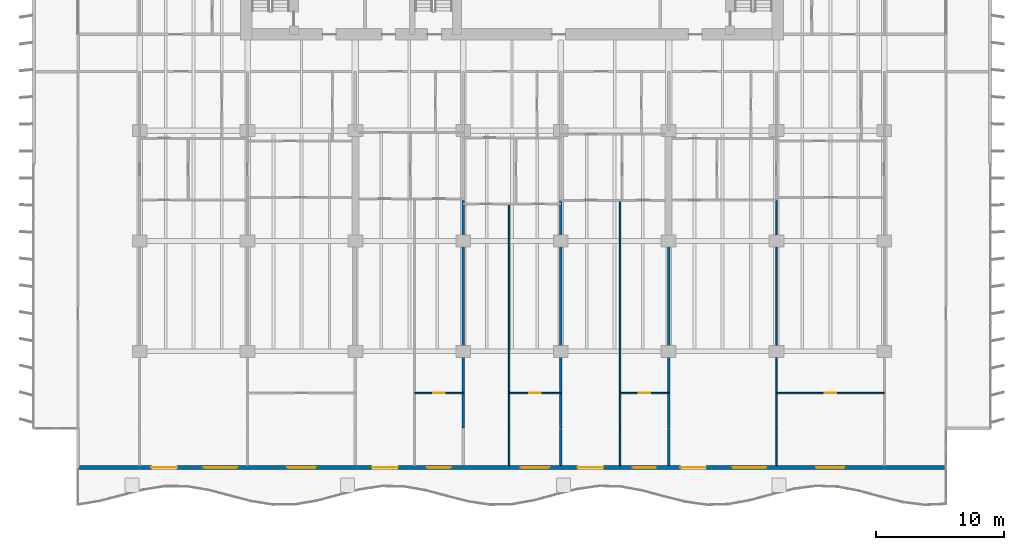
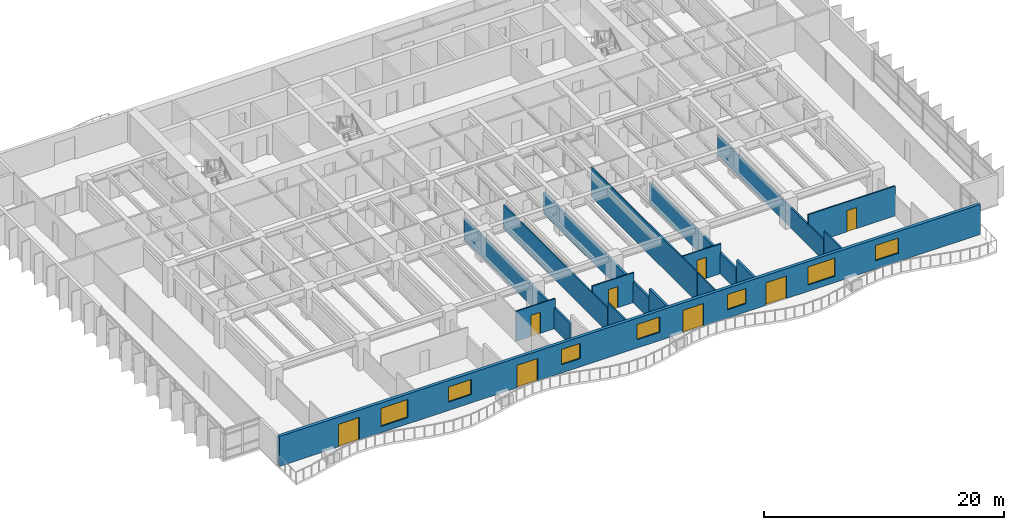
# One storey, part 8 of 18: 16 walls, 8 doors, 7 windows, 15 openings.
"""IFC4 building model written with IfcOpenShell, lengths in metres."""

from ifc_helpers import new_model, si_unit, direction, frame, frame_2d, origin, place, context, subcontext, project, spatial, rectangle, extrude, material, layer, layer_set, type_object, element, fill, save


model = new_model("IFC4")

# Units and contexts
model_context = context("Model", 3, precision=1e-05, world=origin(), true_north=direction((0.0, 1.0)))
body_context = subcontext(model_context, "Body", "Model", "MODEL_VIEW")
ifc_project = project(units=[si_unit("LENGTHUNIT", "METRE"), si_unit("AREAUNIT", "SQUARE_METRE"), si_unit("VOLUMEUNIT", "CUBIC_METRE"), si_unit("PLANEANGLEUNIT", "RADIAN"), si_unit("MASSUNIT", "GRAM", prefix="KILO")], contexts=[model_context])

# Site, building, storey
site_placement = place(None, origin())
site = spatial("IfcSite", under=ifc_project, at=site_placement, CompositionType="ELEMENT")
building_placement = place(site_placement, origin())
building = spatial("IfcBuilding", under=site, at=building_placement, Name="Caelmar Bay Residences", CompositionType="ELEMENT")
storey_placement = place(building_placement, frame((0.0, 0.0, 39.89990234375)))
storey = spatial("IfcBuildingStorey", under=building, at=storey_placement, Name="L09", CompositionType="ELEMENT", Elevation=39.89990234375)

# Wall, openings, doors, windows
ifc_material_1 = material(Name="Precast concrete f'c 40 MPa (6,000 psi)", Category="concrete")
ifc_layer_1 = layer(ifc_material_1, 0.300048828125)
ifc_layer_set_1 = layer_set([ifc_layer_1], Name="Precast concrete f'c 40 MPa (6,000 psi)")
wall_type_1 = type_object("IfcWallType", Name="W-EXT-300", PredefinedType="STANDARD", material=ifc_layer_set_1)
wall_1_placement = place(storey_placement, frame((72.699951171875, 3.14990234375, 0.0), z_axis=(0.0, 0.0, 1.0), x_axis=(-1.0, 0.0, 0.0)))
wall_1 = element("IfcWall", 1, at=wall_1_placement, inside=storey, type_object=wall_type_1, Name="L09 South Bayfront Exterior Wall", PredefinedType="STANDARD", context=body_context, shape_type="SweptSolid", body=[
    extrude(rectangle(XDim=67.599853515625, YDim=0.300048828125, at=frame_2d((33.7998046875, 0.0))), origin(), (0.0, 0.0, 1.0), 3.050048828125),
])
opening_1_placement = place(wall_1_placement, frame((59.889892578125, 0.0, 0.0)))
opening_1 = element("IfcOpeningElement", 2, at=opening_1_placement, cuts=wall_1, Name="Opening L09-BD01", PredefinedType="OPENING", context=body_context, shape_type="SweptSolid", body=[
    extrude(rectangle(XDim=2.0, YDim=2.300048828125, at=frame_2d((1.0, 1.14990234375))), frame((0.0, 0.159912109375, 0.0), z_axis=(0.0, -1.0, 0.0), x_axis=(1.0, 0.0, 0.0)), (0.0, 0.0, 1.0), 0.320068359375),
])
opening_2_placement = place(wall_1_placement, frame((55.2099609375, 0.0, 0.64990234375)))
opening_2 = element("IfcOpeningElement", 3, at=opening_2_placement, cuts=wall_1, Name="Opening WN3", PredefinedType="OPENING", context=body_context, shape_type="SweptSolid", body=[
    extrude(rectangle(XDim=2.60009765625, YDim=1.85009765625, at=frame_2d((1.300048828125, 0.925048828125))), frame((0.0, 0.159912109375, 0.0), z_axis=(0.0, -1.0, 0.0), x_axis=(1.0, 0.0, 0.0)), (0.0, 0.0, 1.0), 0.320068359375),
])
opening_3_placement = place(wall_1_placement, frame((49.10009765625, 0.0, 0.85009765625)))
opening_3 = element("IfcOpeningElement", 4, at=opening_3_placement, cuts=wall_1, Name="Opening WN2", PredefinedType="OPENING", context=body_context, shape_type="SweptSolid", body=[
    extrude(rectangle(XDim=2.199951171875, YDim=1.550048828125, at=frame_2d((1.10009765625, 0.77490234375))), frame((0.0, 0.159912109375, 0.0), z_axis=(0.0, -1.0, 0.0), x_axis=(1.0, 0.0, 0.0)), (0.0, 0.0, 1.0), 0.320068359375),
])
opening_4_placement = place(wall_1_placement, frame((42.68994140625, 0.0, 0.0)))
opening_4 = element("IfcOpeningElement", 5, at=opening_4_placement, cuts=wall_1, Name="Opening L09-BD02", PredefinedType="OPENING", context=body_context, shape_type="SweptSolid", body=[
    extrude(rectangle(XDim=2.0, YDim=2.300048828125, at=frame_2d((1.0, 1.14990234375))), frame((0.0, 0.159912109375, 0.0), z_axis=(0.0, -1.0, 0.0), x_axis=(1.0, 0.0, 0.0)), (0.0, 0.0, 1.0), 0.320068359375),
])
opening_5_placement = place(wall_1_placement, frame((38.590087890625, 0.0, 0.85009765625)))
opening_5 = element("IfcOpeningElement", 6, at=opening_5_placement, cuts=wall_1, Name="Opening WN1", PredefinedType="OPENING", context=body_context, shape_type="SweptSolid", body=[
    extrude(rectangle(XDim=1.800048828125, YDim=1.550048828125, at=frame_2d((0.89990234375, 0.77490234375))), frame((0.0, 0.159912109375, 0.0), z_axis=(0.0, -1.0, 0.0), x_axis=(1.0, 0.0, 0.0)), (0.0, 0.0, 1.0), 0.320068359375),
])
opening_6_placement = place(wall_1_placement, frame((30.9140625, 0.0, 0.85009765625)))
opening_6 = element("IfcOpeningElement", 7, at=opening_6_placement, cuts=wall_1, Name="Opening WN2", PredefinedType="OPENING", context=body_context, shape_type="SweptSolid", body=[
    extrude(rectangle(XDim=2.199951171875, YDim=1.550048828125, at=frame_2d((1.10009765625, 0.77490234375))), frame((0.0, 0.159912109375, 0.0), z_axis=(0.0, -1.0, 0.0), x_axis=(1.0, 0.0, 0.0)), (0.0, 0.0, 1.0), 0.320068359375),
])
opening_7_placement = place(wall_1_placement, frame((26.68994140625, 0.0, 0.0)))
opening_7 = element("IfcOpeningElement", 8, at=opening_7_placement, cuts=wall_1, Name="Opening L09-BD03", PredefinedType="OPENING", context=body_context, shape_type="SweptSolid", body=[
    extrude(rectangle(XDim=2.0, YDim=2.300048828125, at=frame_2d((1.0, 1.14990234375))), frame((0.0, 0.159912109375, 0.0), z_axis=(0.0, -1.0, 0.0), x_axis=(1.0, 0.0, 0.0)), (0.0, 0.0, 1.0), 0.320068359375),
])
opening_8_placement = place(wall_1_placement, frame((22.590087890625, 0.0, 0.85009765625)))
opening_8 = element("IfcOpeningElement", 9, at=opening_8_placement, cuts=wall_1, Name="Opening WN1", PredefinedType="OPENING", context=body_context, shape_type="SweptSolid", body=[
    extrude(rectangle(XDim=1.800048828125, YDim=1.550048828125, at=frame_2d((0.89990234375, 0.77490234375))), frame((0.0, 0.159912109375, 0.0), z_axis=(0.0, -1.0, 0.0), x_axis=(1.0, 0.0, 0.0)), (0.0, 0.0, 1.0), 0.320068359375),
])
opening_9_placement = place(wall_1_placement, frame((18.68994140625, 0.0, 0.0)))
opening_9 = element("IfcOpeningElement", 10, at=opening_9_placement, cuts=wall_1, Name="Opening L09-BD04", PredefinedType="OPENING", context=body_context, shape_type="SweptSolid", body=[
    extrude(rectangle(XDim=2.0, YDim=2.300048828125, at=frame_2d((1.0, 1.14990234375))), frame((0.0, 0.159912109375, 0.0), z_axis=(0.0, -1.0, 0.0), x_axis=(1.0, 0.0, 0.0)), (0.0, 0.0, 1.0), 0.320068359375),
])
opening_10_placement = place(wall_1_placement, frame((14.010009765625, 0.0, 0.64990234375)))
opening_10 = element("IfcOpeningElement", 11, at=opening_10_placement, cuts=wall_1, Name="Opening WN3", PredefinedType="OPENING", context=body_context, shape_type="SweptSolid", body=[
    extrude(rectangle(XDim=2.60009765625, YDim=1.85009765625, at=frame_2d((1.300048828125, 0.925048828125))), frame((0.0, 0.159912109375, 0.0), z_axis=(0.0, -1.0, 0.0), x_axis=(1.0, 0.0, 0.0)), (0.0, 0.0, 1.0), 0.320068359375),
])
opening_11_placement = place(wall_1_placement, frame((7.89990234375, 0.0, 0.85009765625)))
opening_11 = element("IfcOpeningElement", 12, at=opening_11_placement, cuts=wall_1, Name="Opening WN2", PredefinedType="OPENING", context=body_context, shape_type="SweptSolid", body=[
    extrude(rectangle(XDim=2.199951171875, YDim=1.550048828125, at=frame_2d((1.10009765625, 0.77490234375))), frame((0.0, 0.159912109375, 0.0), z_axis=(0.0, -1.0, 0.0), x_axis=(1.0, 0.0, 0.0)), (0.0, 0.0, 1.0), 0.320068359375),
])
ifc_material_2 = material(Name="Anodised bronze thermally broken sliding glass door", Category="glass")
ifc_layer_2 = layer(ifc_material_2, 0.050048828125)
ifc_layer_set_2 = layer_set([ifc_layer_2], Name="Anodised bronze thermally broken sliding glass door")
door_type_1 = type_object("IfcDoorType", Name="D-BAL-2000", OperationType="DOUBLE_DOOR_SLIDING", PredefinedType="DOOR", material=ifc_layer_set_2)
door_1_placement = place(opening_1_placement, origin())
door_1 = element("IfcDoor", 13, at=door_1_placement, inside=storey, type_object=door_type_1, Name="L09 Residence 01 Penthouse Living Salon Balcony Door", OperationType="DOUBLE_DOOR_SLIDING", OverallHeight=2.300048828125, OverallWidth=2.0, PredefinedType="DOOR", context=body_context, shape_type="SweptSolid", body=[
    extrude(rectangle(XDim=2.0, YDim=2.300048828125, at=frame_2d((1.0, 1.14990234375))), frame((0.0, 0.02490234375, 0.0), z_axis=(0.0, -1.0, 0.0), x_axis=(1.0, 0.0, 0.0)), (0.0, 0.0, 1.0), 0.050048828125),
])
fill(opening_1, door_1)
door_2_placement = place(opening_4_placement, origin())
door_2 = element("IfcDoor", 14, at=door_2_placement, inside=storey, type_object=door_type_1, Name="L09 Residence 02 Penthouse Living Salon Balcony Door", OperationType="DOUBLE_DOOR_SLIDING", OverallHeight=2.300048828125, OverallWidth=2.0, PredefinedType="DOOR", context=body_context, shape_type="SweptSolid", body=[
    extrude(rectangle(XDim=2.0, YDim=2.300048828125, at=frame_2d((1.0, 1.14990234375))), frame((0.0, 0.02490234375, 0.0), z_axis=(0.0, -1.0, 0.0), x_axis=(1.0, 0.0, 0.0)), (0.0, 0.0, 1.0), 0.050048828125),
])
fill(opening_4, door_2)
door_3_placement = place(opening_7_placement, origin())
door_3 = element("IfcDoor", 15, at=door_3_placement, inside=storey, type_object=door_type_1, Name="L09 Residence 04 Penthouse Living Salon Balcony Door", OperationType="DOUBLE_DOOR_SLIDING", OverallHeight=2.300048828125, OverallWidth=2.0, PredefinedType="DOOR", context=body_context, shape_type="SweptSolid", body=[
    extrude(rectangle(XDim=2.0, YDim=2.300048828125, at=frame_2d((1.0, 1.14990234375))), frame((0.0, 0.02490234375, 0.0), z_axis=(0.0, -1.0, 0.0), x_axis=(1.0, 0.0, 0.0)), (0.0, 0.0, 1.0), 0.050048828125),
])
fill(opening_7, door_3)
door_4_placement = place(opening_9_placement, origin())
door_4 = element("IfcDoor", 16, at=door_4_placement, inside=storey, type_object=door_type_1, Name="L09 Residence 05 Penthouse Living Salon Balcony Door", OperationType="DOUBLE_DOOR_SLIDING", OverallHeight=2.300048828125, OverallWidth=2.0, PredefinedType="DOOR", context=body_context, shape_type="SweptSolid", body=[
    extrude(rectangle(XDim=2.0, YDim=2.300048828125, at=frame_2d((1.0, 1.14990234375))), frame((0.0, 0.02490234375, 0.0), z_axis=(0.0, -1.0, 0.0), x_axis=(1.0, 0.0, 0.0)), (0.0, 0.0, 1.0), 0.050048828125),
])
fill(opening_9, door_4)
ifc_material_3 = material(Name="Bronze aluminium frame with laminated low-E glass", Category="aluminium")
ifc_layer_3 = layer(ifc_material_3, 0.06005859375)
ifc_layer_set_3 = layer_set([ifc_layer_3], Name="Bronze aluminium frame with laminated low-E glass")
window_type_1 = type_object("IfcWindowType", Name="WIN-BR-1800", PartitioningType="SINGLE_PANEL", PredefinedType="WINDOW", material=ifc_layer_set_3)
window_1_placement = place(opening_5_placement, origin())
window_1 = element("IfcWindow", 17, at=window_1_placement, inside=storey, type_object=window_type_1, Name="L09 Residence 02 Primary Bedroom Window", OverallHeight=1.550048828125, OverallWidth=1.800048828125, PartitioningType="SINGLE_PANEL", PredefinedType="WINDOW", context=body_context, shape_type="SweptSolid", body=[
    extrude(rectangle(XDim=1.800048828125, YDim=1.550048828125, at=frame_2d((0.89990234375, 0.77490234375))), frame((0.0, 0.030029296875, 0.0), z_axis=(0.0, -1.0, 0.0), x_axis=(1.0, 0.0, 0.0)), (0.0, 0.0, 1.0), 0.06005859375),
])
fill(opening_5, window_1)
window_2_placement = place(opening_8_placement, origin())
window_2 = element("IfcWindow", 18, at=window_2_placement, inside=storey, type_object=window_type_1, Name="L09 Residence 04 Primary Bedroom Window", OverallHeight=1.550048828125, OverallWidth=1.800048828125, PartitioningType="SINGLE_PANEL", PredefinedType="WINDOW", context=body_context, shape_type="SweptSolid", body=[
    extrude(rectangle(XDim=1.800048828125, YDim=1.550048828125, at=frame_2d((0.89990234375, 0.77490234375))), frame((0.0, 0.030029296875, 0.0), z_axis=(0.0, -1.0, 0.0), x_axis=(1.0, 0.0, 0.0)), (0.0, 0.0, 1.0), 0.06005859375),
])
fill(opening_8, window_2)
ifc_layer_4 = layer(ifc_material_3, 0.06005859375)
ifc_layer_set_4 = layer_set([ifc_layer_4], Name="Bronze aluminium frame with laminated low-E glass")
window_type_2 = type_object("IfcWindowType", Name="WIN-BR-2200", PartitioningType="SINGLE_PANEL", PredefinedType="WINDOW", material=ifc_layer_set_4)
window_3_placement = place(opening_3_placement, origin())
window_3 = element("IfcWindow", 19, at=window_3_placement, inside=storey, type_object=window_type_2, Name="L09 Residence 01 Primary Bedroom 1 Window", OverallHeight=1.550048828125, OverallWidth=2.199951171875, PartitioningType="SINGLE_PANEL", PredefinedType="WINDOW", context=body_context, shape_type="SweptSolid", body=[
    extrude(rectangle(XDim=2.199951171875, YDim=1.550048828125, at=frame_2d((1.10009765625, 0.77490234375))), frame((0.0, 0.030029296875, 0.0), z_axis=(0.0, -1.0, 0.0), x_axis=(1.0, 0.0, 0.0)), (0.0, 0.0, 1.0), 0.06005859375),
])
fill(opening_3, window_3)
window_4_placement = place(opening_6_placement, origin())
window_4 = element("IfcWindow", 20, at=window_4_placement, inside=storey, type_object=window_type_2, Name="L09 Residence 03 Primary Bedroom Window", OverallHeight=1.550048828125, OverallWidth=2.199951171875, PartitioningType="SINGLE_PANEL", PredefinedType="WINDOW", context=body_context, shape_type="SweptSolid", body=[
    extrude(rectangle(XDim=2.199951171875, YDim=1.550048828125, at=frame_2d((1.10009765625, 0.77490234375))), frame((0.0, 0.030029296875, 0.0), z_axis=(0.0, -1.0, 0.0), x_axis=(1.0, 0.0, 0.0)), (0.0, 0.0, 1.0), 0.06005859375),
])
fill(opening_6, window_4)
window_5_placement = place(opening_11_placement, origin())
window_5 = element("IfcWindow", 21, at=window_5_placement, inside=storey, type_object=window_type_2, Name="L09 Residence 05 Primary Bedroom 1 Window", OverallHeight=1.550048828125, OverallWidth=2.199951171875, PartitioningType="SINGLE_PANEL", PredefinedType="WINDOW", context=body_context, shape_type="SweptSolid", body=[
    extrude(rectangle(XDim=2.199951171875, YDim=1.550048828125, at=frame_2d((1.10009765625, 0.77490234375))), frame((0.0, 0.030029296875, 0.0), z_axis=(0.0, -1.0, 0.0), x_axis=(1.0, 0.0, 0.0)), (0.0, 0.0, 1.0), 0.06005859375),
])
fill(opening_11, window_5)
ifc_layer_5 = layer(ifc_material_3, 0.06005859375)
ifc_layer_set_5 = layer_set([ifc_layer_5], Name="Bronze aluminium frame with laminated low-E glass")
window_type_3 = type_object("IfcWindowType", Name="WIN-LIV-2600", PartitioningType="SINGLE_PANEL", PredefinedType="WINDOW", material=ifc_layer_set_5)
window_6_placement = place(opening_2_placement, origin())
window_6 = element("IfcWindow", 22, at=window_6_placement, inside=storey, type_object=window_type_3, Name="L09 Residence 01 Penthouse Living Salon Panoramic Window", OverallHeight=1.85009765625, OverallWidth=2.60009765625, PartitioningType="SINGLE_PANEL", PredefinedType="WINDOW", context=body_context, shape_type="SweptSolid", body=[
    extrude(rectangle(XDim=2.60009765625, YDim=1.85009765625, at=frame_2d((1.300048828125, 0.925048828125))), frame((0.0, 0.030029296875, 0.0), z_axis=(0.0, -1.0, 0.0), x_axis=(1.0, 0.0, 0.0)), (0.0, 0.0, 1.0), 0.06005859375),
])
fill(opening_2, window_6)
window_7_placement = place(opening_10_placement, origin())
window_7 = element("IfcWindow", 23, at=window_7_placement, inside=storey, type_object=window_type_3, Name="L09 Residence 05 Penthouse Living Salon Panoramic Window", OverallHeight=1.85009765625, OverallWidth=2.60009765625, PartitioningType="SINGLE_PANEL", PredefinedType="WINDOW", context=body_context, shape_type="SweptSolid", body=[
    extrude(rectangle(XDim=2.60009765625, YDim=1.85009765625, at=frame_2d((1.300048828125, 0.925048828125))), frame((0.0, 0.030029296875, 0.0), z_axis=(0.0, -1.0, 0.0), x_axis=(1.0, 0.0, 0.0)), (0.0, 0.0, 1.0), 0.06005859375),
])
fill(opening_10, window_7)

# Walls
ifc_material_4 = material(Name="Acoustic metal-stud gypsum partition 120 mm")
ifc_layer_6 = layer(ifc_material_4, 0.1201171875)
ifc_layer_set_6 = layer_set([ifc_layer_6], Name="Acoustic metal-stud gypsum partition 120 mm")
wall_type_2 = type_object("IfcWallType", Name="W-PRT-120", PredefinedType="PARTITIONING", material=ifc_layer_set_6)
wall_2_placement = place(storey_placement, frame((38.672119140625, 3.294921875, 0.0), z_axis=(0.0, 0.0, 1.0), x_axis=(0.0, 1.0, 0.0)))
element("IfcWall", 24, at=wall_2_placement, inside=storey, type_object=wall_type_2, Name="L09 Partition Wall V051", PredefinedType="PARTITIONING", context=body_context, shape_type="SweptSolid", body=[
    extrude(rectangle(XDim=2.905029296875, YDim=0.1201171875, at=frame_2d((1.45263671875, 0.0))), origin(), (0.0, 0.0, 1.0), 3.050048828125),
])
wall_3_placement = place(storey_placement, frame((38.672119140625, 6.239990234375, 0.0), z_axis=(0.0, 0.0, 1.0), x_axis=(0.0, 1.0, 0.0)))
element("IfcWall", 25, at=wall_3_placement, inside=storey, type_object=wall_type_2, Name="L09 Partition Wall V052", PredefinedType="PARTITIONING", context=body_context, shape_type="SweptSolid", body=[
    extrude(rectangle(XDim=17.449951171875, YDim=0.1201171875, at=frame_2d((8.72509765625, 0.0))), origin(), (0.0, 0.0, 1.0), 2.423095703125),
])
wall_4_placement = place(storey_placement, frame((47.320068359375, 3.294921875, 0.0), z_axis=(0.0, 0.0, 1.0), x_axis=(0.0, 1.0, 0.0)))
element("IfcWall", 26, at=wall_4_placement, inside=storey, type_object=wall_type_2, Name="L09 Partition Wall V069", PredefinedType="PARTITIONING", context=body_context, shape_type="SweptSolid", body=[
    extrude(rectangle(XDim=2.905029296875, YDim=0.1201171875, at=frame_2d((1.45263671875, 0.0))), origin(), (0.0, 0.0, 1.0), 3.050048828125),
])
wall_5_placement = place(storey_placement, frame((47.320068359375, 6.239990234375, 0.0), z_axis=(0.0, 0.0, 1.0), x_axis=(0.0, 1.0, 0.0)))
element("IfcWall", 27, at=wall_5_placement, inside=storey, type_object=wall_type_2, Name="L09 Partition Wall V070", PredefinedType="PARTITIONING", context=body_context, shape_type="SweptSolid", body=[
    extrude(rectangle(XDim=17.72998046875, YDim=0.1201171875, at=frame_2d((8.864990234375, 0.0))), origin(), (0.0, 0.0, 1.0), 3.050048828125),
])
wall_6_placement = place(storey_placement, frame((59.5, 3.294921875, 0.0), z_axis=(0.0, 0.0, 1.0), x_axis=(0.0, 1.0, 0.0)))
element("IfcWall", 28, at=wall_6_placement, inside=storey, type_object=wall_type_2, Name="L09 Partition Wall V089", PredefinedType="PARTITIONING", context=body_context, shape_type="SweptSolid", body=[
    extrude(rectangle(XDim=2.905029296875, YDim=0.1201171875, at=frame_2d((1.45263671875, 0.0))), origin(), (0.0, 0.0, 1.0), 3.050048828125),
])
wall_7_placement = place(storey_placement, frame((59.5, 6.239990234375, 0.0), z_axis=(0.0, 0.0, 1.0), x_axis=(0.0, 1.0, 0.0)))
element("IfcWall", 29, at=wall_7_placement, inside=storey, type_object=wall_type_2, Name="L09 Partition Wall V090", PredefinedType="PARTITIONING", context=body_context, shape_type="SweptSolid", body=[
    extrude(rectangle(XDim=17.72998046875, YDim=0.1201171875, at=frame_2d((8.864990234375, 0.0))), origin(), (0.0, 0.0, 1.0), 2.110107421875),
])

# Wall, opening, door
wall_8_placement = place(storey_placement, frame((31.320068359375, 8.949951171875, 0.0), z_axis=(0.0, 0.0, 1.0), x_axis=(1.0, 0.0, 0.0)))
wall_8 = element("IfcWall", 30, at=wall_8_placement, inside=storey, type_object=wall_type_2, Name="L09 Partition Wall H113", PredefinedType="PARTITIONING", context=body_context, shape_type="SweptSolid", body=[
    extrude(rectangle(XDim=3.780029296875, YDim=0.1201171875, at=frame_2d((1.89013671875, 0.0))), origin(), (0.0, 0.0, 1.0), 3.050048828125),
])
opening_12_placement = place(wall_8_placement, frame((1.43994140625, 0.0, 0.0)))
opening_12 = element("IfcOpeningElement", 31, at=opening_12_placement, cuts=wall_8, Name="Opening D-L09-138", PredefinedType="OPENING", context=body_context, shape_type="SweptSolid", body=[
    extrude(rectangle(XDim=0.89990234375, YDim=2.14990234375, at=frame_2d((0.449951171875, 1.074951171875))), frame((0.0, 0.070068359375, 0.0), z_axis=(0.0, -1.0, 0.0), x_axis=(1.0, 0.0, 0.0)), (0.0, 0.0, 1.0), 0.14013671875),
])
ifc_material_5 = material(Name="Solid walnut timber interior door leaf and frame", Category="wood")
ifc_layer_7 = layer(ifc_material_5, 0.050048828125)
ifc_layer_set_7 = layer_set([ifc_layer_7], Name="Solid walnut timber interior door leaf and frame")
door_type_2 = type_object("IfcDoorType", Name="D-ROOM-900", OperationType="NOTDEFINED", PredefinedType="DOOR", material=ifc_layer_set_7)
door_5_placement = place(opening_12_placement, origin())
door_5 = element("IfcDoor", 32, at=door_5_placement, inside=storey, type_object=door_type_2, Name="L09 Residence 02 Primary Bedroom Door", OperationType="SINGLE_SWING_LEFT", OverallHeight=2.14990234375, OverallWidth=0.89990234375, PredefinedType="DOOR", context=body_context, shape_type="SweptSolid", body=[
    extrude(rectangle(XDim=0.89990234375, YDim=2.14990234375, at=frame_2d((0.449951171875, 1.074951171875))), frame((0.0, 0.02490234375, 0.0), z_axis=(0.0, -1.0, 0.0), x_axis=(1.0, 0.0, 0.0)), (0.0, 0.0, 1.0), 0.050048828125),
])
fill(opening_12, door_5)

wall_9_placement = place(storey_placement, frame((38.672119140625, 8.949951171875, 0.0), z_axis=(0.0, 0.0, 1.0), x_axis=(1.0, 0.0, 0.0)))
wall_9 = element("IfcWall", 33, at=wall_9_placement, inside=storey, type_object=wall_type_2, Name="L09 Partition Wall H114", PredefinedType="PARTITIONING", context=body_context, shape_type="SweptSolid", body=[
    extrude(rectangle(XDim=4.02783203125, YDim=0.1201171875, at=frame_2d((2.013916015625, 0.0))), origin(), (0.0, 0.0, 1.0), 3.050048828125),
])
opening_13_placement = place(wall_9_placement, frame((1.56396484375, 0.0, 0.0)))
opening_13 = element("IfcOpeningElement", 34, at=opening_13_placement, cuts=wall_9, Name="Opening D-L09-145", PredefinedType="OPENING", context=body_context, shape_type="SweptSolid", body=[
    extrude(rectangle(XDim=0.89990234375, YDim=2.14990234375, at=frame_2d((0.449951171875, 1.074951171875))), frame((0.0, 0.070068359375, 0.0), z_axis=(0.0, -1.0, 0.0), x_axis=(1.0, 0.0, 0.0)), (0.0, 0.0, 1.0), 0.14013671875),
])
door_6_placement = place(opening_13_placement, origin())
door_6 = element("IfcDoor", 35, at=door_6_placement, inside=storey, type_object=door_type_2, Name="L09 Residence 03 Primary Bedroom Door", OperationType="SINGLE_SWING_RIGHT", OverallHeight=2.14990234375, OverallWidth=0.89990234375, PredefinedType="DOOR", context=body_context, shape_type="SweptSolid", body=[
    extrude(rectangle(XDim=0.89990234375, YDim=2.14990234375, at=frame_2d((0.449951171875, 1.074951171875))), frame((0.0, 0.02490234375, 0.0), z_axis=(0.0, -1.0, 0.0), x_axis=(1.0, 0.0, 0.0)), (0.0, 0.0, 1.0), 0.050048828125),
])
fill(opening_13, door_6)

wall_10_placement = place(storey_placement, frame((47.320068359375, 8.949951171875, 0.0), z_axis=(0.0, 0.0, 1.0), x_axis=(1.0, 0.0, 0.0)))
wall_10 = element("IfcWall", 36, at=wall_10_placement, inside=storey, type_object=wall_type_2, Name="L09 Partition Wall H115", PredefinedType="PARTITIONING", context=body_context, shape_type="SweptSolid", body=[
    extrude(rectangle(XDim=3.780029296875, YDim=0.1201171875, at=frame_2d((1.89013671875, 0.0))), origin(), (0.0, 0.0, 1.0), 3.050048828125),
])
opening_14_placement = place(wall_10_placement, frame((1.43994140625, 0.0, 0.0)))
opening_14 = element("IfcOpeningElement", 37, at=opening_14_placement, cuts=wall_10, Name="Opening D-L09-152", PredefinedType="OPENING", context=body_context, shape_type="SweptSolid", body=[
    extrude(rectangle(XDim=0.89990234375, YDim=2.14990234375, at=frame_2d((0.449951171875, 1.074951171875))), frame((0.0, 0.070068359375, 0.0), z_axis=(0.0, -1.0, 0.0), x_axis=(1.0, 0.0, 0.0)), (0.0, 0.0, 1.0), 0.14013671875),
])
door_7_placement = place(opening_14_placement, origin())
door_7 = element("IfcDoor", 38, at=door_7_placement, inside=storey, type_object=door_type_2, Name="L09 Residence 04 Primary Bedroom Door", OperationType="SINGLE_SWING_LEFT", OverallHeight=2.14990234375, OverallWidth=0.89990234375, PredefinedType="DOOR", context=body_context, shape_type="SweptSolid", body=[
    extrude(rectangle(XDim=0.89990234375, YDim=2.14990234375, at=frame_2d((0.449951171875, 1.074951171875))), frame((0.0, 0.02490234375, 0.0), z_axis=(0.0, -1.0, 0.0), x_axis=(1.0, 0.0, 0.0)), (0.0, 0.0, 1.0), 0.050048828125),
])
fill(opening_14, door_7)

wall_11_placement = place(storey_placement, frame((59.5, 8.949951171875, 0.0), z_axis=(0.0, 0.0, 1.0), x_axis=(1.0, 0.0, 0.0)))
wall_11 = element("IfcWall", 39, at=wall_11_placement, inside=storey, type_object=wall_type_2, Name="L09 Partition Wall H116", PredefinedType="PARTITIONING", context=body_context, shape_type="SweptSolid", body=[
    extrude(rectangle(XDim=8.39990234375, YDim=0.1201171875, at=frame_2d((4.199951171875, 0.0))), origin(), (0.0, 0.0, 1.0), 3.050048828125),
])
opening_15_placement = place(wall_11_placement, frame((3.75, 0.0, 0.0)))
opening_15 = element("IfcOpeningElement", 40, at=opening_15_placement, cuts=wall_11, Name="Opening D-L09-162", PredefinedType="OPENING", context=body_context, shape_type="SweptSolid", body=[
    extrude(rectangle(XDim=0.89990234375, YDim=2.14990234375, at=frame_2d((0.449951171875, 1.074951171875))), frame((0.0, 0.070068359375, 0.0), z_axis=(0.0, -1.0, 0.0), x_axis=(1.0, 0.0, 0.0)), (0.0, 0.0, 1.0), 0.14013671875),
])
door_8_placement = place(opening_15_placement, origin())
door_8 = element("IfcDoor", 41, at=door_8_placement, inside=storey, type_object=door_type_2, Name="L09 Residence 05 Primary Bedroom 1 Door", OperationType="SINGLE_SWING_LEFT", OverallHeight=2.14990234375, OverallWidth=0.89990234375, PredefinedType="DOOR", context=body_context, shape_type="SweptSolid", body=[
    extrude(rectangle(XDim=0.89990234375, YDim=2.14990234375, at=frame_2d((0.449951171875, 1.074951171875))), frame((0.0, 0.02490234375, 0.0), z_axis=(0.0, -1.0, 0.0), x_axis=(1.0, 0.0, 0.0)), (0.0, 0.0, 1.0), 0.050048828125),
])
fill(opening_15, door_8)

# Walls
ifc_material_6 = material(Name="Acoustic twin-stud fire-rated inter-tenancy partition 200 mm")
ifc_layer_8 = layer(ifc_material_6, 0.199951171875)
ifc_layer_set_8 = layer_set([ifc_layer_8], Name="Acoustic twin-stud fire-rated inter-tenancy partition 200 mm")
wall_type_3 = type_object("IfcWallType", Name="W-PTY-200", PredefinedType="PARTITIONING", material=ifc_layer_set_8)
wall_12_placement = place(storey_placement, frame((35.10009765625, 6.239990234375, 0.0), z_axis=(0.0, 0.0, 1.0), x_axis=(0.0, 1.0, 0.0)))
element("IfcWall", 42, at=wall_12_placement, inside=storey, type_object=wall_type_3, Name="L09 Partition Wall V045", PredefinedType="PARTITIONING", context=body_context, shape_type="SweptSolid", body=[
    extrude(rectangle(XDim=17.72998046875, YDim=0.199951171875, at=frame_2d((8.864990234375, 0.0))), origin(), (0.0, 0.0, 1.0), 2.110107421875),
])
wall_13_placement = place(storey_placement, frame((42.699951171875, 3.294921875, 0.0), z_axis=(0.0, 0.0, 1.0), x_axis=(0.0, 1.0, 0.0)))
element("IfcWall", 43, at=wall_13_placement, inside=storey, type_object=wall_type_3, Name="L09 Partition Wall V060", PredefinedType="PARTITIONING", context=body_context, shape_type="SweptSolid", body=[
    extrude(rectangle(XDim=2.905029296875, YDim=0.199951171875, at=frame_2d((1.45263671875, 0.0))), origin(), (0.0, 0.0, 1.0), 3.050048828125),
])
wall_14_placement = place(storey_placement, frame((42.699951171875, 6.239990234375, 0.0), z_axis=(0.0, 0.0, 1.0), x_axis=(0.0, 1.0, 0.0)))
element("IfcWall", 44, at=wall_14_placement, inside=storey, type_object=wall_type_3, Name="L09 Partition Wall V061", PredefinedType="PARTITIONING", context=body_context, shape_type="SweptSolid", body=[
    extrude(rectangle(XDim=17.72998046875, YDim=0.199951171875, at=frame_2d((8.864990234375, 0.0))), origin(), (0.0, 0.0, 1.0), 2.110107421875),
])
wall_15_placement = place(storey_placement, frame((51.10009765625, 3.294921875, 0.0), z_axis=(0.0, 0.0, 1.0), x_axis=(0.0, 1.0, 0.0)))
element("IfcWall", 45, at=wall_15_placement, inside=storey, type_object=wall_type_3, Name="L09 Partition Wall V080", PredefinedType="PARTITIONING", context=body_context, shape_type="SweptSolid", body=[
    extrude(rectangle(XDim=2.905029296875, YDim=0.199951171875, at=frame_2d((1.45263671875, 0.0))), origin(), (0.0, 0.0, 1.0), 3.050048828125),
])
wall_16_placement = place(storey_placement, frame((51.10009765625, 6.239990234375, 0.0), z_axis=(0.0, 0.0, 1.0), x_axis=(0.0, 1.0, 0.0)))
element("IfcWall", 46, at=wall_16_placement, inside=storey, type_object=wall_type_3, Name="L09 Partition Wall V081", PredefinedType="PARTITIONING", context=body_context, shape_type="SweptSolid", body=[
    extrude(rectangle(XDim=14.554931640625, YDim=0.199951171875, at=frame_2d((7.27734375, 0.0))), origin(), (0.0, 0.0, 1.0), 2.110107421875),
])

save(model, "model.ifc")
